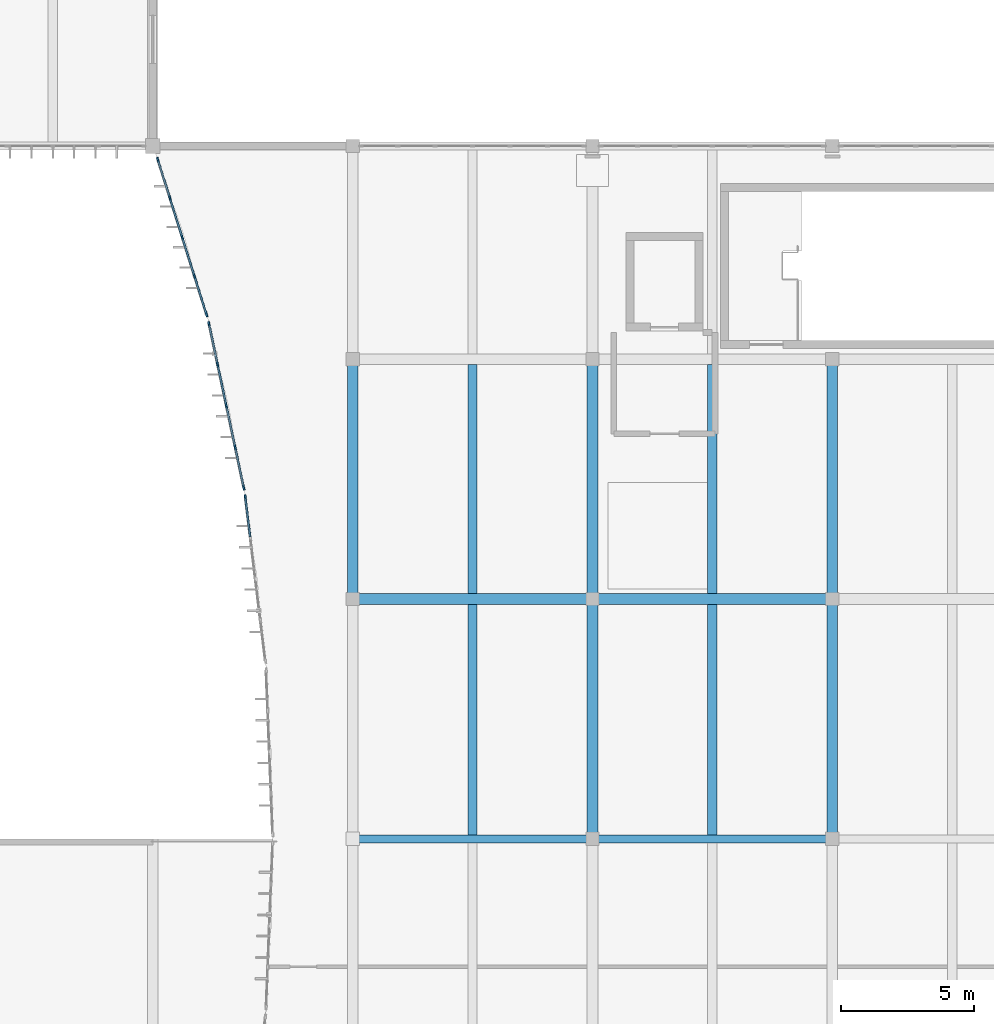
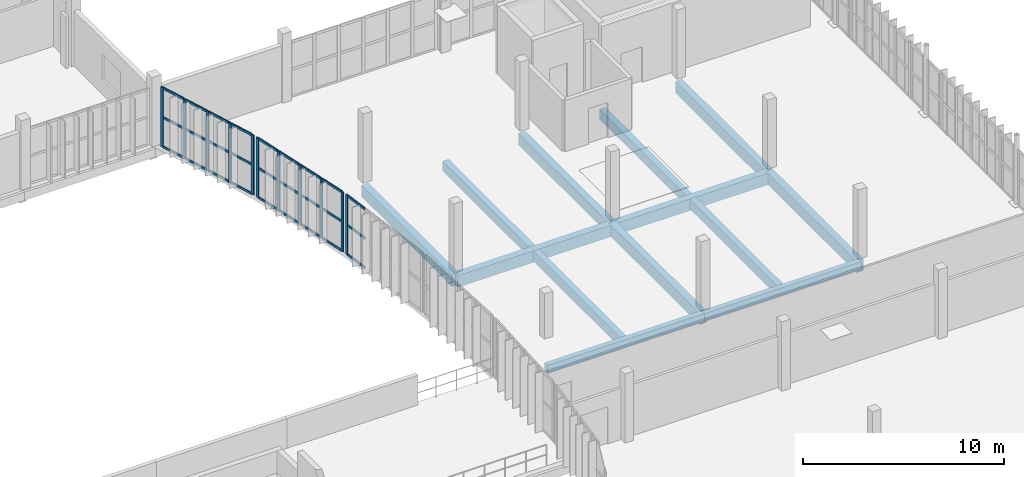
# One storey, part 26 of 61: 38 members, 13 beams, 3 elements without a shape of their own.
"""IFC4 building model written with IfcOpenShell, lengths in metres."""

from ifc_helpers import new_model, si_unit, direction, frame, origin, origin_2d, place, context, subcontext, project, spatial, rectangle, extrude, material, material_profile, profile_set, type_object, element, aggregate, save


model = new_model("IFC4")

# Units and contexts
model_context = context("Model", 3, precision=1e-05, world=origin(), true_north=direction((0.0, 1.0)))
body_context = subcontext(model_context, "Body", "Model", "MODEL_VIEW")
ifc_project = project(units=[si_unit("LENGTHUNIT", "METRE"), si_unit("AREAUNIT", "SQUARE_METRE"), si_unit("VOLUMEUNIT", "CUBIC_METRE"), si_unit("PLANEANGLEUNIT", "RADIAN"), si_unit("MASSUNIT", "GRAM", prefix="KILO")], contexts=[model_context])

# Site, building, storey
site_placement = place(None, origin())
site = spatial("IfcSite", under=ifc_project, at=site_placement, CompositionType="ELEMENT")
building_placement = place(site_placement, origin())
building = spatial("IfcBuilding", under=site, at=building_placement, Name="Vourika Railside Aquatics Centre", CompositionType="ELEMENT")
storey_placement = place(building_placement, frame((0.0, 0.0, 9.300048828125)))
storey = spatial("IfcBuildingStorey", under=building, at=storey_placement, Name="L02", CompositionType="ELEMENT", Elevation=9.300048828125)

# Beams
ifc_material_1 = material(Name="Concrete C35/45", Category="concrete")
ifc_material_profile_1 = material_profile(ifc_material_1, rectangle(XDim=0.39990234375, YDim=0.699951171875, at=origin_2d()), Name="RC 400x700")
ifc_profile_set_1 = profile_set([ifc_material_profile_1], Name="Concrete C35/45")
beam_type_1 = type_object("IfcBeamType", Name="BM-GIRD-400x700", PredefinedType="BEAM", material=ifc_profile_set_1)
for number, where, z_axis, x_axis, name in (
    (1, (141.0, 75.0, -0.630126953125), (1.0, 0.0, 0.0), (0.0, 1.0, 0.0), "Floor Beam GX-L02-076"),
    (2, (150.0, 75.0, -0.630126953125), (1.0, 0.0, 0.0), (0.0, 1.0, 0.0), "Floor Beam GX-L02-077"),
    (3, (141.0, 75.0, -0.630126953125), (0.0, 1.0, 0.0), (-1.0, 0.0, 0.0), "Floor Girder GY-L02-263"),
    (4, (150.0, 66.0, -0.630126953125), (0.0, 1.0, 0.0), (-1.0, 0.0, 0.0), "Floor Girder GY-L02-273"),
    (5, (150.0, 75.0, -0.630126953125), (0.0, 1.0, 0.0), (-1.0, 0.0, 0.0), "Floor Girder GY-L02-274"),
    (6, (159.0, 66.0, -0.630126953125), (0.0, 1.0, 0.0), (-1.0, 0.0, 0.0), "Floor Girder GY-L02-279"),
    (7, (159.0, 75.0, -0.630126953125), (0.0, 1.0, 0.0), (-1.0, 0.0, 0.0), "Floor Girder GY-L02-280"),
):
    element("IfcBeam", number, at=place(storey_placement, frame(where, z_axis=z_axis, x_axis=x_axis)), inside=storey, type_object=beam_type_1, Name=name, PredefinedType="BEAM", context=body_context, shape_type="SweptSolid", body=[
        extrude(rectangle(XDim=0.39990234375, YDim=0.699951171875, at=origin_2d()), origin(), (0.0, 0.0, 1.0), 9.0),
    ])
ifc_material_profile_2 = material_profile(ifc_material_1, rectangle(XDim=0.35009765625, YDim=0.60009765625, at=origin_2d()), Name="RC 350x600")
ifc_profile_set_2 = profile_set([ifc_material_profile_2], Name="Concrete C35/45")
beam_type_2 = type_object("IfcBeamType", Name="BM-SEC-350x600", PredefinedType="JOIST", material=ifc_profile_set_2)
for number, where, z_axis, x_axis, name in (
    (8, (145.5, 66.14990234375, -0.580078125), (0.0, 1.0, 0.0), (-1.0, 0.0, 0.0), "Secondary Joist JY-L02-322"),
    (9, (154.5, 66.14990234375, -0.580078125), (0.0, 1.0, 0.0), (-1.0, 0.0, 0.0), "Secondary Joist JY-L02-323"),
):
    element("IfcBeam", number, at=place(storey_placement, frame(where, z_axis=z_axis, x_axis=x_axis)), inside=storey, type_object=beam_type_2, Name=name, PredefinedType="JOIST", context=body_context, shape_type="SweptSolid", body=[
        extrude(rectangle(XDim=0.35009765625, YDim=0.60009765625, at=origin_2d()), origin(), (0.0, 0.0, 1.0), 8.650146484375),
    ])
for number, where, z_axis, x_axis, name in (
    (10, (145.5, 75.199951171875, -0.580078125), (0.0, 1.0, 0.0), (-1.0, 0.0, 0.0), "Secondary Joist JY-L02-327"),
    (11, (154.5, 75.199951171875, -0.580078125), (0.0, 1.0, 0.0), (-1.0, 0.0, 0.0), "Secondary Joist JY-L02-328"),
):
    element("IfcBeam", number, at=place(storey_placement, frame(where, z_axis=z_axis, x_axis=x_axis)), inside=storey, type_object=beam_type_2, Name=name, PredefinedType="JOIST", context=body_context, shape_type="SweptSolid", body=[
        extrude(rectangle(XDim=0.35009765625, YDim=0.60009765625, at=origin_2d()), origin(), (0.0, 0.0, 1.0), 8.60009765625),
    ])
ifc_material_profile_3 = material_profile(ifc_material_1, rectangle(XDim=0.300048828125, YDim=0.5, at=origin_2d()), Name="RC 300x500")
ifc_profile_set_3 = profile_set([ifc_material_profile_3], Name="Concrete C35/45")
beam_type_3 = type_object("IfcBeamType", Name="BM-SPAN-300x500", PredefinedType="SPANDREL", material=ifc_profile_set_3)
for number, where, z_axis, x_axis, name in (
    (12, (141.0, 66.0, -0.530029296875), (1.0, 0.0, 0.0), (0.0, 1.0, 0.0), "Floor Beam GX-L02-071"),
    (13, (150.0, 66.0, -0.530029296875), (1.0, 0.0, 0.0), (0.0, 1.0, 0.0), "Floor Beam GX-L02-072"),
):
    element("IfcBeam", number, at=place(storey_placement, frame(where, z_axis=z_axis, x_axis=x_axis)), inside=storey, type_object=beam_type_3, Name=name, PredefinedType="SPANDREL", context=body_context, shape_type="SweptSolid", body=[
        extrude(rectangle(XDim=0.300048828125, YDim=0.5, at=origin_2d()), origin(), (0.0, 0.0, 1.0), 9.0),
    ])

# Curtain wall, member
ifc_material_2 = material(Name="Anodized thermally broken aluminium", Category="aluminium")
curtain_wall_type = type_object("IfcCurtainWallType", Name="CW-FOYC2", PredefinedType="NOTDEFINED", material=ifc_material_2)
curtain_wall_1_placement = place(storey_placement, origin())
curtain_wall_1 = element("IfcCurtainWall", 14, at=curtain_wall_1_placement, inside=storey, type_object=curtain_wall_type, Name="Curved Courtyard Foyer Curtain Wall L02-6", PredefinedType="NOTDEFINED")
ifc_material_3 = material(Name="Anodized aluminium mullion", Category="aluminium")
ifc_material_profile_4 = material_profile(ifc_material_3, rectangle(XDim=0.068115234375, YDim=0.175048828125, at=origin_2d()), Name="ALU-M 68x175")
ifc_profile_set_4 = profile_set([ifc_material_profile_4], Name="Anodized aluminium mullion")
member_type_1 = type_object("IfcMemberType", Name="CWM-FOYC2", PredefinedType="MULLION", material=ifc_profile_set_4)
member_1_placement = place(storey_placement, frame((136.97216796875, 78.826171875, 0.0), z_axis=(0.0, 0.0, 1.0), x_axis=(0.992598563525, 0.121441721361, 0.0)))
member_1 = element("IfcMember", 15, at=member_1_placement, type_object=member_type_1, Name="CW09 mullion 1", PredefinedType="MULLION", context=body_context, shape_type="SweptSolid", body=[
    extrude(rectangle(XDim=0.068115234375, YDim=0.175048828125, at=origin_2d()), origin(), (0.0, 0.0, 1.0), 3.619873046875),
])

# Curtain wall, members
curtain_wall_2_placement = place(storey_placement, origin())
curtain_wall_2 = element("IfcCurtainWall", 16, at=curtain_wall_2_placement, inside=storey, type_object=curtain_wall_type, Name="Curved Courtyard Foyer Curtain Wall L02-7", PredefinedType="NOTDEFINED")
member_2_placement = place(storey_placement, frame((135.609130859375, 85.32666015625, 0.0), z_axis=(0.0, 0.0, 1.0), x_axis=(0.978214773139, 0.207595418094, 0.0)))
member_2 = element("IfcMember", 17, at=member_2_placement, type_object=member_type_1, Name="CW09 mullion 1", PredefinedType="MULLION", context=body_context, shape_type="SweptSolid", body=[
    extrude(rectangle(XDim=0.068115234375, YDim=0.175048828125, at=origin_2d()), origin(), (0.0, 0.0, 1.0), 3.619873046875),
])
member_3_placement = place(storey_placement, frame((135.931884765625, 83.804931640625, 0.0), z_axis=(0.0, 0.0, 1.0), x_axis=(0.978214773139, 0.207595418094, 0.0)))
member_3 = element("IfcMember", 18, at=member_3_placement, type_object=member_type_1, Name="CW09 mullion 2", PredefinedType="MULLION", context=body_context, shape_type="SweptSolid", body=[
    extrude(rectangle(XDim=0.068115234375, YDim=0.175048828125, at=origin_2d()), origin(), (0.0, 0.0, 1.0), 3.619873046875),
])
member_4_placement = place(storey_placement, frame((136.261962890625, 82.25, 0.0), z_axis=(0.0, 0.0, 1.0), x_axis=(0.978214773139, 0.207595418094, 0.0)))
member_4 = element("IfcMember", 19, at=member_4_placement, type_object=member_type_1, Name="CW09 mullion 3", PredefinedType="MULLION", context=body_context, shape_type="SweptSolid", body=[
    extrude(rectangle(XDim=0.068115234375, YDim=0.175048828125, at=origin_2d()), origin(), (0.0, 0.0, 1.0), 3.619873046875),
])
member_5_placement = place(storey_placement, frame((136.592041015625, 80.695068359375, 0.0), z_axis=(0.0, 0.0, 1.0), x_axis=(0.978214773139, 0.207595418094, 0.0)))
member_5 = element("IfcMember", 20, at=member_5_placement, type_object=member_type_1, Name="CW09 mullion 4", PredefinedType="MULLION", context=body_context, shape_type="SweptSolid", body=[
    extrude(rectangle(XDim=0.068115234375, YDim=0.175048828125, at=origin_2d()), origin(), (0.0, 0.0, 1.0), 3.619873046875),
])
member_6_placement = place(storey_placement, frame((136.9150390625, 79.17333984375, 0.0), z_axis=(0.0, 0.0, 1.0), x_axis=(0.978214773139, 0.207595418094, 0.0)))
member_6 = element("IfcMember", 21, at=member_6_placement, type_object=member_type_1, Name="CW09 mullion 5", PredefinedType="MULLION", context=body_context, shape_type="SweptSolid", body=[
    extrude(rectangle(XDim=0.068115234375, YDim=0.175048828125, at=origin_2d()), origin(), (0.0, 0.0, 1.0), 3.619873046875),
])

curtain_wall_3_placement = place(storey_placement, origin())
curtain_wall_3 = element("IfcCurtainWall", 22, at=curtain_wall_3_placement, inside=storey, type_object=curtain_wall_type, Name="Curved Courtyard Foyer Curtain Wall L02-8", PredefinedType="NOTDEFINED")
member_7_placement = place(storey_placement, frame((133.690185546875, 91.487548828125, 0.0), z_axis=(0.0, 0.0, 1.0), x_axis=(0.953947300696, 0.29997424472, 0.0)))
member_7 = element("IfcMember", 23, at=member_7_placement, type_object=member_type_1, Name="CW09 mullion 1", PredefinedType="MULLION", context=body_context, shape_type="SweptSolid", body=[
    extrude(rectangle(XDim=0.068115234375, YDim=0.175048828125, at=origin_2d()), origin(), (0.0, 0.0, 1.0), 3.619873046875),
])
member_8_placement = place(storey_placement, frame((134.142333984375, 90.050048828125, 0.0), z_axis=(0.0, 0.0, 1.0), x_axis=(0.953947300696, 0.29997424472, 0.0)))
member_8 = element("IfcMember", 24, at=member_8_placement, type_object=member_type_1, Name="CW09 mullion 2", PredefinedType="MULLION", context=body_context, shape_type="SweptSolid", body=[
    extrude(rectangle(XDim=0.068115234375, YDim=0.175048828125, at=origin_2d()), origin(), (0.0, 0.0, 1.0), 3.619873046875),
])
member_9_placement = place(storey_placement, frame((134.6044921875, 88.580078125, 0.0), z_axis=(0.0, 0.0, 1.0), x_axis=(0.953947300696, 0.29997424472, 0.0)))
member_9 = element("IfcMember", 25, at=member_9_placement, type_object=member_type_1, Name="CW09 mullion 3", PredefinedType="MULLION", context=body_context, shape_type="SweptSolid", body=[
    extrude(rectangle(XDim=0.068115234375, YDim=0.175048828125, at=origin_2d()), origin(), (0.0, 0.0, 1.0), 3.619873046875),
])
member_10_placement = place(storey_placement, frame((135.066650390625, 87.110107421875, 0.0), z_axis=(0.0, 0.0, 1.0), x_axis=(0.953947300696, 0.29997424472, 0.0)))
member_10 = element("IfcMember", 26, at=member_10_placement, type_object=member_type_1, Name="CW09 mullion 4", PredefinedType="MULLION", context=body_context, shape_type="SweptSolid", body=[
    extrude(rectangle(XDim=0.068115234375, YDim=0.175048828125, at=origin_2d()), origin(), (0.0, 0.0, 1.0), 3.619873046875),
])
member_11_placement = place(storey_placement, frame((135.518798828125, 85.67236328125, 0.0), z_axis=(0.0, 0.0, 1.0), x_axis=(0.953947300696, 0.29997424472, 0.0)))
member_11 = element("IfcMember", 27, at=member_11_placement, type_object=member_type_1, Name="CW09 mullion 5", PredefinedType="MULLION", context=body_context, shape_type="SweptSolid", body=[
    extrude(rectangle(XDim=0.068115234375, YDim=0.175048828125, at=origin_2d()), origin(), (0.0, 0.0, 1.0), 3.619873046875),
])

# Member
ifc_material_4 = material(Name="Anodized aluminium transom", Category="aluminium")
ifc_material_profile_5 = material_profile(ifc_material_4, rectangle(XDim=0.068115234375, YDim=0.137939453125, at=origin_2d()), Name="ALU-T 68x138")
ifc_profile_set_5 = profile_set([ifc_material_profile_5], Name="Anodized aluminium transom")
member_type_2 = type_object("IfcMemberType", Name="CWT-FOYC2", PredefinedType="USERDEFINED", material=ifc_profile_set_5)
member_12_placement = place(storey_placement, frame((136.976318359375, 78.79248046875, 0.033935546875), z_axis=(0.121366882428, -0.992607717001, 0.0), x_axis=(0.992607717001, 0.121366882428, 0.0)))
member_12 = element("IfcMember", 28, at=member_12_placement, type_object=member_type_2, Name="CW09 transom 1.1", ObjectType="TRANSOM", PredefinedType="USERDEFINED", context=body_context, shape_type="SweptSolid", body=[
    extrude(rectangle(XDim=0.068115234375, YDim=0.137939453125, at=origin_2d()), origin(), (0.0, 0.0, 1.0), 1.46435546875),
])

member_13_placement = place(storey_placement, frame((136.976318359375, 78.79248046875, 1.81005859375), z_axis=(0.121366882428, -0.992607717001, 0.0), x_axis=(0.992607717001, 0.121366882428, 0.0)))
member_13 = element("IfcMember", 29, at=member_13_placement, type_object=member_type_2, Name="CW09 transom 1.2", ObjectType="TRANSOM", PredefinedType="USERDEFINED", context=body_context, shape_type="SweptSolid", body=[
    extrude(rectangle(XDim=0.068115234375, YDim=0.137939453125, at=origin_2d()), origin(), (0.0, 0.0, 1.0), 1.46435546875),
])

member_14_placement = place(storey_placement, frame((136.976318359375, 78.79248046875, 3.5859375), z_axis=(0.121366882428, -0.992607717001, 0.0), x_axis=(0.992607717001, 0.121366882428, 0.0)))
member_14 = element("IfcMember", 30, at=member_14_placement, type_object=member_type_2, Name="CW09 transom 1.3", ObjectType="TRANSOM", PredefinedType="USERDEFINED", context=body_context, shape_type="SweptSolid", body=[
    extrude(rectangle(XDim=0.068115234375, YDim=0.137939453125, at=origin_2d()), origin(), (0.0, 0.0, 1.0), 1.46435546875),
])

aggregate(curtain_wall_1, [member_1, member_12, member_13, member_14])

member_15_placement = place(storey_placement, frame((135.6162109375, 85.29345703125, 0.033935546875), z_axis=(0.207623193138, -0.978208878344, 0.0), x_axis=(0.978208878344, 0.207623193138, 0.0)))
member_15 = element("IfcMember", 31, at=member_15_placement, type_object=member_type_2, Name="CW09 transom 1.1", ObjectType="TRANSOM", PredefinedType="USERDEFINED", context=body_context, shape_type="SweptSolid", body=[
    extrude(rectangle(XDim=0.068115234375, YDim=0.137939453125, at=origin_2d()), origin(), (0.0, 0.0, 1.0), 1.487548828125),
])

member_16_placement = place(storey_placement, frame((135.6162109375, 85.29345703125, 1.81005859375), z_axis=(0.207623193138, -0.978208878344, 0.0), x_axis=(0.978208878344, 0.207623193138, 0.0)))
member_16 = element("IfcMember", 32, at=member_16_placement, type_object=member_type_2, Name="CW09 transom 1.2", ObjectType="TRANSOM", PredefinedType="USERDEFINED", context=body_context, shape_type="SweptSolid", body=[
    extrude(rectangle(XDim=0.068115234375, YDim=0.137939453125, at=origin_2d()), origin(), (0.0, 0.0, 1.0), 1.487548828125),
])

member_17_placement = place(storey_placement, frame((135.6162109375, 85.29345703125, 3.5859375), z_axis=(0.207623193138, -0.978208878344, 0.0), x_axis=(0.978208878344, 0.207623193138, 0.0)))
member_17 = element("IfcMember", 33, at=member_17_placement, type_object=member_type_2, Name="CW09 transom 1.3", ObjectType="TRANSOM", PredefinedType="USERDEFINED", context=body_context, shape_type="SweptSolid", body=[
    extrude(rectangle(XDim=0.068115234375, YDim=0.137939453125, at=origin_2d()), origin(), (0.0, 0.0, 1.0), 1.487548828125),
])

member_18_placement = place(storey_placement, frame((135.93896484375, 83.771728515625, 0.033935546875), z_axis=(0.207611215064, -0.978211420593, 0.0), x_axis=(0.978211420593, 0.207611215064, 0.0)))
member_18 = element("IfcMember", 34, at=member_18_placement, type_object=member_type_2, Name="CW09 transom 2.1", ObjectType="TRANSOM", PredefinedType="USERDEFINED", context=body_context, shape_type="SweptSolid", body=[
    extrude(rectangle(XDim=0.068115234375, YDim=0.137939453125, at=origin_2d()), origin(), (0.0, 0.0, 1.0), 1.521728515625),
])

member_19_placement = place(storey_placement, frame((135.93896484375, 83.771728515625, 1.81005859375), z_axis=(0.207611215064, -0.978211420593, 0.0), x_axis=(0.978211420593, 0.207611215064, 0.0)))
member_19 = element("IfcMember", 35, at=member_19_placement, type_object=member_type_2, Name="CW09 transom 2.2", ObjectType="TRANSOM", PredefinedType="USERDEFINED", context=body_context, shape_type="SweptSolid", body=[
    extrude(rectangle(XDim=0.068115234375, YDim=0.137939453125, at=origin_2d()), origin(), (0.0, 0.0, 1.0), 1.521728515625),
])

member_20_placement = place(storey_placement, frame((135.93896484375, 83.771728515625, 3.5859375), z_axis=(0.207611215064, -0.978211420593, 0.0), x_axis=(0.978211420593, 0.207611215064, 0.0)))
member_20 = element("IfcMember", 36, at=member_20_placement, type_object=member_type_2, Name="CW09 transom 2.3", ObjectType="TRANSOM", PredefinedType="USERDEFINED", context=body_context, shape_type="SweptSolid", body=[
    extrude(rectangle(XDim=0.068115234375, YDim=0.137939453125, at=origin_2d()), origin(), (0.0, 0.0, 1.0), 1.521728515625),
])

member_21_placement = place(storey_placement, frame((136.26904296875, 82.216796875, 0.033935546875), z_axis=(0.207611215064, -0.978211420593, 0.0), x_axis=(0.978211420593, 0.207611215064, 0.0)))
member_21 = element("IfcMember", 37, at=member_21_placement, type_object=member_type_2, Name="CW09 transom 3.1", ObjectType="TRANSOM", PredefinedType="USERDEFINED", context=body_context, shape_type="SweptSolid", body=[
    extrude(rectangle(XDim=0.068115234375, YDim=0.137939453125, at=origin_2d()), origin(), (0.0, 0.0, 1.0), 1.521728515625),
])

member_22_placement = place(storey_placement, frame((136.26904296875, 82.216796875, 1.81005859375), z_axis=(0.207611215064, -0.978211420593, 0.0), x_axis=(0.978211420593, 0.207611215064, 0.0)))
member_22 = element("IfcMember", 38, at=member_22_placement, type_object=member_type_2, Name="CW09 transom 3.2", ObjectType="TRANSOM", PredefinedType="USERDEFINED", context=body_context, shape_type="SweptSolid", body=[
    extrude(rectangle(XDim=0.068115234375, YDim=0.137939453125, at=origin_2d()), origin(), (0.0, 0.0, 1.0), 1.521728515625),
])

member_23_placement = place(storey_placement, frame((136.26904296875, 82.216796875, 3.5859375), z_axis=(0.207611215064, -0.978211420593, 0.0), x_axis=(0.978211420593, 0.207611215064, 0.0)))
member_23 = element("IfcMember", 39, at=member_23_placement, type_object=member_type_2, Name="CW09 transom 3.3", ObjectType="TRANSOM", PredefinedType="USERDEFINED", context=body_context, shape_type="SweptSolid", body=[
    extrude(rectangle(XDim=0.068115234375, YDim=0.137939453125, at=origin_2d()), origin(), (0.0, 0.0, 1.0), 1.521728515625),
])

member_24_placement = place(storey_placement, frame((136.59912109375, 80.66162109375, 0.033935546875), z_axis=(0.207623193138, -0.978208878344, 0.0), x_axis=(0.978208878344, 0.207623193138, 0.0)))
member_24 = element("IfcMember", 40, at=member_24_placement, type_object=member_type_2, Name="CW09 transom 4.1", ObjectType="TRANSOM", PredefinedType="USERDEFINED", context=body_context, shape_type="SweptSolid", body=[
    extrude(rectangle(XDim=0.068115234375, YDim=0.137939453125, at=origin_2d()), origin(), (0.0, 0.0, 1.0), 1.487548828125),
])

member_25_placement = place(storey_placement, frame((136.59912109375, 80.66162109375, 1.81005859375), z_axis=(0.207623193138, -0.978208878344, 0.0), x_axis=(0.978208878344, 0.207623193138, 0.0)))
member_25 = element("IfcMember", 41, at=member_25_placement, type_object=member_type_2, Name="CW09 transom 4.2", ObjectType="TRANSOM", PredefinedType="USERDEFINED", context=body_context, shape_type="SweptSolid", body=[
    extrude(rectangle(XDim=0.068115234375, YDim=0.137939453125, at=origin_2d()), origin(), (0.0, 0.0, 1.0), 1.487548828125),
])

member_26_placement = place(storey_placement, frame((136.59912109375, 80.66162109375, 3.5859375), z_axis=(0.207623193138, -0.978208878344, 0.0), x_axis=(0.978208878344, 0.207623193138, 0.0)))
member_26 = element("IfcMember", 42, at=member_26_placement, type_object=member_type_2, Name="CW09 transom 4.3", ObjectType="TRANSOM", PredefinedType="USERDEFINED", context=body_context, shape_type="SweptSolid", body=[
    extrude(rectangle(XDim=0.068115234375, YDim=0.137939453125, at=origin_2d()), origin(), (0.0, 0.0, 1.0), 1.487548828125),
])

aggregate(curtain_wall_2, [member_2, member_3, member_4, member_5, member_6, member_15, member_16, member_17, member_18, member_19, member_20, member_21, member_22, member_23, member_24, member_25, member_26])

member_27_placement = place(storey_placement, frame((133.700439453125, 91.455078125, 0.033935546875), z_axis=(0.29999425512, -0.953941008079, 0.0), x_axis=(0.953941008079, 0.29999425512, 0.0)))
member_27 = element("IfcMember", 43, at=member_27_placement, type_object=member_type_2, Name="CW09 transom 1.1", ObjectType="TRANSOM", PredefinedType="USERDEFINED", context=body_context, shape_type="SweptSolid", body=[
    extrude(rectangle(XDim=0.068115234375, YDim=0.137939453125, at=origin_2d()), origin(), (0.0, 0.0, 1.0), 1.438720703125),
])

member_28_placement = place(storey_placement, frame((133.700439453125, 91.455078125, 1.81005859375), z_axis=(0.29999425512, -0.953941008079, 0.0), x_axis=(0.953941008079, 0.29999425512, 0.0)))
member_28 = element("IfcMember", 44, at=member_28_placement, type_object=member_type_2, Name="CW09 transom 1.2", ObjectType="TRANSOM", PredefinedType="USERDEFINED", context=body_context, shape_type="SweptSolid", body=[
    extrude(rectangle(XDim=0.068115234375, YDim=0.137939453125, at=origin_2d()), origin(), (0.0, 0.0, 1.0), 1.438720703125),
])

member_29_placement = place(storey_placement, frame((133.700439453125, 91.455078125, 3.5859375), z_axis=(0.29999425512, -0.953941008079, 0.0), x_axis=(0.953941008079, 0.29999425512, 0.0)))
member_29 = element("IfcMember", 45, at=member_29_placement, type_object=member_type_2, Name="CW09 transom 1.3", ObjectType="TRANSOM", PredefinedType="USERDEFINED", context=body_context, shape_type="SweptSolid", body=[
    extrude(rectangle(XDim=0.068115234375, YDim=0.137939453125, at=origin_2d()), origin(), (0.0, 0.0, 1.0), 1.438720703125),
])

member_30_placement = place(storey_placement, frame((134.15234375, 90.017578125, 0.033935546875), z_axis=(0.300020548645, -0.953932738924, 0.0), x_axis=(0.953932738924, 0.300020548645, 0.0)))
member_30 = element("IfcMember", 46, at=member_30_placement, type_object=member_type_2, Name="CW09 transom 2.1", ObjectType="TRANSOM", PredefinedType="USERDEFINED", context=body_context, shape_type="SweptSolid", body=[
    extrude(rectangle(XDim=0.068115234375, YDim=0.137939453125, at=origin_2d()), origin(), (0.0, 0.0, 1.0), 1.472900390625),
])

member_31_placement = place(storey_placement, frame((134.15234375, 90.017578125, 1.81005859375), z_axis=(0.300020548645, -0.953932738924, 0.0), x_axis=(0.953932738924, 0.300020548645, 0.0)))
member_31 = element("IfcMember", 47, at=member_31_placement, type_object=member_type_2, Name="CW09 transom 2.2", ObjectType="TRANSOM", PredefinedType="USERDEFINED", context=body_context, shape_type="SweptSolid", body=[
    extrude(rectangle(XDim=0.068115234375, YDim=0.137939453125, at=origin_2d()), origin(), (0.0, 0.0, 1.0), 1.472900390625),
])

member_32_placement = place(storey_placement, frame((134.15234375, 90.017578125, 3.5859375), z_axis=(0.300020548645, -0.953932738924, 0.0), x_axis=(0.953932738924, 0.300020548645, 0.0)))
member_32 = element("IfcMember", 48, at=member_32_placement, type_object=member_type_2, Name="CW09 transom 2.3", ObjectType="TRANSOM", PredefinedType="USERDEFINED", context=body_context, shape_type="SweptSolid", body=[
    extrude(rectangle(XDim=0.068115234375, YDim=0.137939453125, at=origin_2d()), origin(), (0.0, 0.0, 1.0), 1.472900390625),
])

member_33_placement = place(storey_placement, frame((134.61474609375, 88.547607421875, 0.033935546875), z_axis=(0.299973116156, -0.953947655578, 0.0), x_axis=(0.953947655578, 0.299973116156, 0.0)))
member_33 = element("IfcMember", 49, at=member_33_placement, type_object=member_type_2, Name="CW09 transom 3.1", ObjectType="TRANSOM", PredefinedType="USERDEFINED", context=body_context, shape_type="SweptSolid", body=[
    extrude(rectangle(XDim=0.068115234375, YDim=0.137939453125, at=origin_2d()), origin(), (0.0, 0.0, 1.0), 1.47314453125),
])

member_34_placement = place(storey_placement, frame((134.61474609375, 88.547607421875, 1.81005859375), z_axis=(0.299973116156, -0.953947655578, 0.0), x_axis=(0.953947655578, 0.299973116156, 0.0)))
member_34 = element("IfcMember", 50, at=member_34_placement, type_object=member_type_2, Name="CW09 transom 3.2", ObjectType="TRANSOM", PredefinedType="USERDEFINED", context=body_context, shape_type="SweptSolid", body=[
    extrude(rectangle(XDim=0.068115234375, YDim=0.137939453125, at=origin_2d()), origin(), (0.0, 0.0, 1.0), 1.47314453125),
])

member_35_placement = place(storey_placement, frame((134.61474609375, 88.547607421875, 3.5859375), z_axis=(0.299973116156, -0.953947655578, 0.0), x_axis=(0.953947655578, 0.299973116156, 0.0)))
member_35 = element("IfcMember", 51, at=member_35_placement, type_object=member_type_2, Name="CW09 transom 3.3", ObjectType="TRANSOM", PredefinedType="USERDEFINED", context=body_context, shape_type="SweptSolid", body=[
    extrude(rectangle(XDim=0.068115234375, YDim=0.137939453125, at=origin_2d()), origin(), (0.0, 0.0, 1.0), 1.47314453125),
])

member_36_placement = place(storey_placement, frame((135.076904296875, 87.07763671875, 0.033935546875), z_axis=(0.299945704104, -0.953956274988, 0.0), x_axis=(0.953956274988, 0.299945704104, 0.0)))
member_36 = element("IfcMember", 52, at=member_36_placement, type_object=member_type_2, Name="CW09 transom 4.1", ObjectType="TRANSOM", PredefinedType="USERDEFINED", context=body_context, shape_type="SweptSolid", body=[
    extrude(rectangle(XDim=0.068115234375, YDim=0.137939453125, at=origin_2d()), origin(), (0.0, 0.0, 1.0), 1.43896484375),
])

member_37_placement = place(storey_placement, frame((135.076904296875, 87.07763671875, 1.81005859375), z_axis=(0.299945704104, -0.953956274988, 0.0), x_axis=(0.953956274988, 0.299945704104, 0.0)))
member_37 = element("IfcMember", 53, at=member_37_placement, type_object=member_type_2, Name="CW09 transom 4.2", ObjectType="TRANSOM", PredefinedType="USERDEFINED", context=body_context, shape_type="SweptSolid", body=[
    extrude(rectangle(XDim=0.068115234375, YDim=0.137939453125, at=origin_2d()), origin(), (0.0, 0.0, 1.0), 1.43896484375),
])

member_38_placement = place(storey_placement, frame((135.076904296875, 87.07763671875, 3.5859375), z_axis=(0.299945704104, -0.953956274988, 0.0), x_axis=(0.953956274988, 0.299945704104, 0.0)))
member_38 = element("IfcMember", 54, at=member_38_placement, type_object=member_type_2, Name="CW09 transom 4.3", ObjectType="TRANSOM", PredefinedType="USERDEFINED", context=body_context, shape_type="SweptSolid", body=[
    extrude(rectangle(XDim=0.068115234375, YDim=0.137939453125, at=origin_2d()), origin(), (0.0, 0.0, 1.0), 1.43896484375),
])

aggregate(curtain_wall_3, [member_7, member_8, member_9, member_10, member_11, member_27, member_28, member_29, member_30, member_31, member_32, member_33, member_34, member_35, member_36, member_37, member_38])

save(model, "model.ifc")
